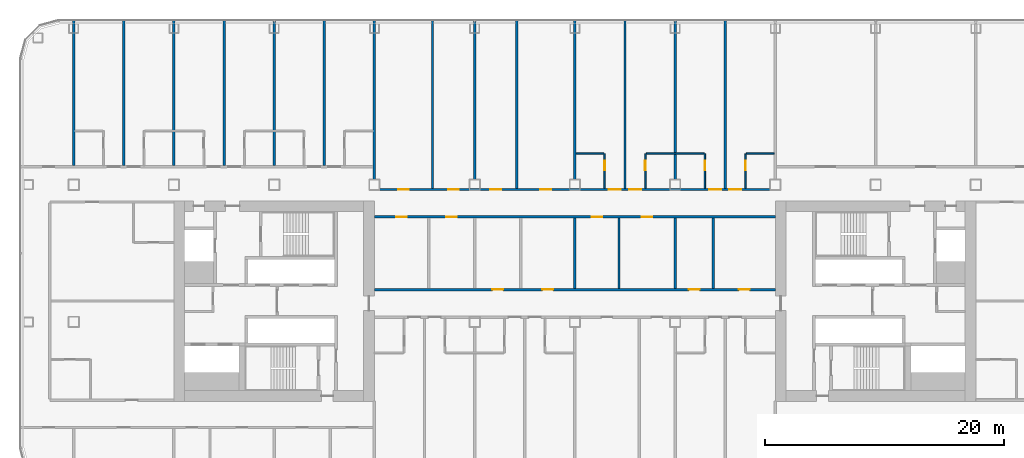
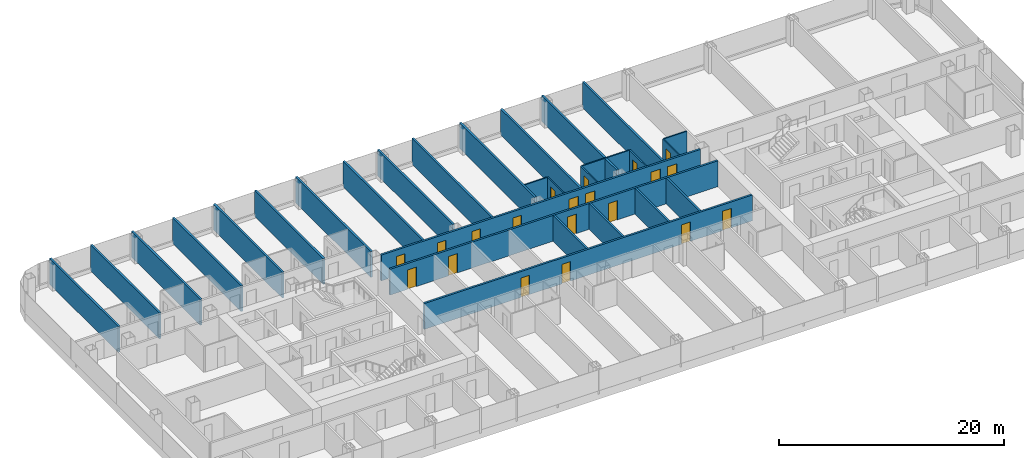
# One storey, part 18 of 29: 28 walls, 20 doors, 20 openings.
"""IFC4 building model written with IfcOpenShell, lengths in metres."""

from ifc_helpers import new_model, si_unit, direction, frame, frame_2d, origin, place, context, subcontext, project, spatial, rectangle, extrude, material, layer, layer_set, type_object, element, fill, save


model = new_model("IFC4")

# Units and contexts
model_context = context("Model", 3, precision=1e-05, world=origin(), true_north=direction((0.0, 1.0)))
body_context = subcontext(model_context, "Body", "Model", "MODEL_VIEW")
ifc_project = project(units=[si_unit("LENGTHUNIT", "METRE"), si_unit("AREAUNIT", "SQUARE_METRE"), si_unit("VOLUMEUNIT", "CUBIC_METRE"), si_unit("PLANEANGLEUNIT", "RADIAN"), si_unit("MASSUNIT", "GRAM", prefix="KILO")], contexts=[model_context])

# Site, building, storey
site_placement = place(None, origin())
site = spatial("IfcSite", under=ifc_project, at=site_placement, CompositionType="ELEMENT")
building_placement = place(site_placement, origin())
building = spatial("IfcBuilding", under=site, at=building_placement, Name="Hakoniwa Tower and Hamabe Station Hall", CompositionType="ELEMENT")
storey_placement = place(building_placement, frame((0.0, 0.0, 110.60009765625)))
storey = spatial("IfcBuildingStorey", under=building, at=storey_placement, Name="L31", CompositionType="ELEMENT", Elevation=110.60009765625)

# Walls
ifc_material_1 = material(Name="Gypsum board partition", Category="gypsum")
ifc_layer_1 = layer(ifc_material_1, 0.125)
ifc_layer_set_1 = layer_set([ifc_layer_1], Name="Bathroom Partition 125")
wall_type_1 = type_object("IfcWallType", Name="Bathroom Partition 125", PredefinedType="PARTITIONING", material=ifc_layer_set_1)
wall_1_placement = place(storey_placement, frame((0.10009765625, 12.35009765625, 0.0), z_axis=(0.0, 0.0, 1.0), x_axis=(1.0, 0.0, 0.0)))
element("IfcWall", 1, at=wall_1_placement, inside=storey, type_object=wall_type_1, Name="GW-L31-024", PredefinedType="PARTITIONING", context=body_context, shape_type="SweptSolid", body=[
    extrude(rectangle(XDim=2.33740234375, YDim=0.125, at=frame_2d((1.168701171875, 0.0))), origin(), (0.0, 0.0, 1.0), 2.7998046875),
])
wall_2_placement = place(storey_placement, frame((5.96240234375, 12.35009765625, 0.0), z_axis=(0.0, 0.0, 1.0), x_axis=(1.0, 0.0, 0.0)))
element("IfcWall", 2, at=wall_2_placement, inside=storey, type_object=wall_type_1, Name="GW-L31-025", PredefinedType="PARTITIONING", context=body_context, shape_type="SweptSolid", body=[
    extrude(rectangle(XDim=4.875, YDim=0.125, at=frame_2d((2.4375, 0.0))), origin(), (0.0, 0.0, 1.0), 2.7998046875),
])
wall_3_placement = place(storey_placement, frame((14.362548828125, 12.35009765625, 0.0), z_axis=(0.0, 0.0, 1.0), x_axis=(1.0, 0.0, 0.0)))
element("IfcWall", 3, at=wall_3_placement, inside=storey, type_object=wall_type_1, Name="GW-L31-026", PredefinedType="PARTITIONING", context=body_context, shape_type="SweptSolid", body=[
    extrude(rectangle(XDim=2.33740234375, YDim=0.125, at=frame_2d((1.168701171875, 0.0))), origin(), (0.0, 0.0, 1.0), 2.7998046875),
])

# Wall, opening, door
wall_4_placement = place(storey_placement, frame((2.5, 9.449951171875, 0.0), z_axis=(0.0, 0.0, 1.0), x_axis=(0.0, 1.0, 0.0)))
wall_4 = element("IfcWall", 4, at=wall_4_placement, inside=storey, type_object=wall_type_1, Name="GW-L31-069", PredefinedType="PARTITIONING", context=body_context, shape_type="SweptSolid", body=[
    extrude(rectangle(XDim=2.900146484375, YDim=0.125, at=frame_2d((1.4501953125, 0.0))), origin(), (0.0, 0.0, 1.0), 2.7998046875),
])
opening_1_placement = place(wall_4_placement, frame((1.5, 0.0, 0.0)))
opening_1 = element("IfcOpeningElement", 5, at=opening_1_placement, cuts=wall_4, Name="Opening GD-G2B2-67", PredefinedType="OPENING", context=body_context, shape_type="SweptSolid", body=[
    extrude(rectangle(XDim=0.800048828125, YDim=2.10009765625, at=frame_2d((0.39990234375, 1.050048828125))), frame((0.0, 0.072509765625, 0.0), z_axis=(0.0, -1.0, 0.0), x_axis=(1.0, 0.0, 0.0)), (0.0, 0.0, 1.0), 0.14501953125),
])
ifc_material_2 = material(Name="Timber door leaf", Category="wood")
door_type_1 = type_object("IfcDoorType", Name="Bathroom Door 800", OperationType="SINGLE_SWING_LEFT", PredefinedType="DOOR", material=ifc_material_2)
door_1_placement = place(opening_1_placement, origin())
door_1 = element("IfcDoor", 6, at=door_1_placement, inside=storey, type_object=door_type_1, Name="Door GD-G2B2-67", OperationType="SINGLE_SWING_LEFT", OverallHeight=2.10009765625, OverallWidth=0.800048828125, PredefinedType="DOOR", context=body_context, shape_type="SweptSolid", body=[
    extrude(rectangle(XDim=0.800048828125, YDim=2.10009765625, at=frame_2d((0.39990234375, 1.050048828125))), frame((0.0, 0.02490234375, 0.0), z_axis=(0.0, -1.0, 0.0), x_axis=(1.0, 0.0, 0.0)), (0.0, 0.0, 1.0), 0.050048828125),
])
fill(opening_1, door_1)

wall_5_placement = place(storey_placement, frame((5.89990234375, 9.449951171875, 0.0), z_axis=(0.0, 0.0, 1.0), x_axis=(0.0, 1.0, 0.0)))
wall_5 = element("IfcWall", 7, at=wall_5_placement, inside=storey, type_object=wall_type_1, Name="GW-L31-073", PredefinedType="PARTITIONING", context=body_context, shape_type="SweptSolid", body=[
    extrude(rectangle(XDim=2.900146484375, YDim=0.125, at=frame_2d((1.4501953125, 0.0))), origin(), (0.0, 0.0, 1.0), 2.7998046875),
])
opening_2_placement = place(wall_5_placement, frame((1.5, 0.0, 0.0)))
opening_2 = element("IfcOpeningElement", 8, at=opening_2_placement, cuts=wall_5, Name="Opening GD-G2B2-68", PredefinedType="OPENING", context=body_context, shape_type="SweptSolid", body=[
    extrude(rectangle(XDim=0.800048828125, YDim=2.10009765625, at=frame_2d((0.39990234375, 1.050048828125))), frame((0.0, 0.072509765625, 0.0), z_axis=(0.0, -1.0, 0.0), x_axis=(1.0, 0.0, 0.0)), (0.0, 0.0, 1.0), 0.14501953125),
])
door_2_placement = place(opening_2_placement, origin())
door_2 = element("IfcDoor", 9, at=door_2_placement, inside=storey, type_object=door_type_1, Name="Door GD-G2B2-68", OperationType="SINGLE_SWING_RIGHT", OverallHeight=2.10009765625, OverallWidth=0.800048828125, PredefinedType="DOOR", context=body_context, shape_type="SweptSolid", body=[
    extrude(rectangle(XDim=0.800048828125, YDim=2.10009765625, at=frame_2d((0.39990234375, 1.050048828125))), frame((0.0, 0.02490234375, 0.0), z_axis=(0.0, -1.0, 0.0), x_axis=(1.0, 0.0, 0.0)), (0.0, 0.0, 1.0), 0.050048828125),
])
fill(opening_2, door_2)

wall_6_placement = place(storey_placement, frame((10.89990234375, 9.449951171875, 0.0), z_axis=(0.0, 0.0, 1.0), x_axis=(0.0, 1.0, 0.0)))
wall_6 = element("IfcWall", 10, at=wall_6_placement, inside=storey, type_object=wall_type_1, Name="GW-L31-078", PredefinedType="PARTITIONING", context=body_context, shape_type="SweptSolid", body=[
    extrude(rectangle(XDim=2.900146484375, YDim=0.125, at=frame_2d((1.4501953125, 0.0))), origin(), (0.0, 0.0, 1.0), 2.7998046875),
])
opening_3_placement = place(wall_6_placement, frame((1.5, 0.0, 0.0)))
opening_3 = element("IfcOpeningElement", 11, at=opening_3_placement, cuts=wall_6, Name="Opening GD-G2B2-70", PredefinedType="OPENING", context=body_context, shape_type="SweptSolid", body=[
    extrude(rectangle(XDim=0.800048828125, YDim=2.10009765625, at=frame_2d((0.39990234375, 1.050048828125))), frame((0.0, 0.072509765625, 0.0), z_axis=(0.0, -1.0, 0.0), x_axis=(1.0, 0.0, 0.0)), (0.0, 0.0, 1.0), 0.14501953125),
])
door_3_placement = place(opening_3_placement, origin())
door_3 = element("IfcDoor", 12, at=door_3_placement, inside=storey, type_object=door_type_1, Name="Door GD-G2B2-70", OperationType="SINGLE_SWING_LEFT", OverallHeight=2.10009765625, OverallWidth=0.800048828125, PredefinedType="DOOR", context=body_context, shape_type="SweptSolid", body=[
    extrude(rectangle(XDim=0.800048828125, YDim=2.10009765625, at=frame_2d((0.39990234375, 1.050048828125))), frame((0.0, 0.02490234375, 0.0), z_axis=(0.0, -1.0, 0.0), x_axis=(1.0, 0.0, 0.0)), (0.0, 0.0, 1.0), 0.050048828125),
])
fill(opening_3, door_3)

wall_7_placement = place(storey_placement, frame((14.300048828125, 9.449951171875, 0.0), z_axis=(0.0, 0.0, 1.0), x_axis=(0.0, 1.0, 0.0)))
wall_7 = element("IfcWall", 13, at=wall_7_placement, inside=storey, type_object=wall_type_1, Name="GW-L31-083", PredefinedType="PARTITIONING", context=body_context, shape_type="SweptSolid", body=[
    extrude(rectangle(XDim=2.900146484375, YDim=0.125, at=frame_2d((1.4501953125, 0.0))), origin(), (0.0, 0.0, 1.0), 2.7998046875),
])
opening_4_placement = place(wall_7_placement, frame((1.5, 0.0, 0.0)))
opening_4 = element("IfcOpeningElement", 14, at=opening_4_placement, cuts=wall_7, Name="Opening GD-G2B2-72", PredefinedType="OPENING", context=body_context, shape_type="SweptSolid", body=[
    extrude(rectangle(XDim=0.800048828125, YDim=2.10009765625, at=frame_2d((0.39990234375, 1.050048828125))), frame((0.0, 0.072509765625, 0.0), z_axis=(0.0, -1.0, 0.0), x_axis=(1.0, 0.0, 0.0)), (0.0, 0.0, 1.0), 0.14501953125),
])
door_4_placement = place(opening_4_placement, origin())
door_4 = element("IfcDoor", 15, at=door_4_placement, inside=storey, type_object=door_type_1, Name="Door GD-G2B2-72", OperationType="SINGLE_SWING_RIGHT", OverallHeight=2.10009765625, OverallWidth=0.800048828125, PredefinedType="DOOR", context=body_context, shape_type="SweptSolid", body=[
    extrude(rectangle(XDim=0.800048828125, YDim=2.10009765625, at=frame_2d((0.39990234375, 1.050048828125))), frame((0.0, 0.02490234375, 0.0), z_axis=(0.0, -1.0, 0.0), x_axis=(1.0, 0.0, 0.0)), (0.0, 0.0, 1.0), 0.050048828125),
])
fill(opening_4, door_4)

# Wall, openings, doors
ifc_material_3 = material(Name="Fire-rated gypsum board partition", Category="gypsum")
ifc_layer_2 = layer(ifc_material_3, 0.199951171875)
ifc_layer_set_2 = layer_set([ifc_layer_2], Name="Corridor Wall 200")
wall_type_2 = type_object("IfcWallType", Name="Corridor Wall 200", PredefinedType="PARTITIONING", material=ifc_layer_set_2)
wall_8_placement = place(storey_placement, frame((-16.800048828125, 0.949951171875, 0.0), z_axis=(0.0, 0.0, 1.0), x_axis=(1.0, 0.0, 0.0)))
wall_8 = element("IfcWall", 16, at=wall_8_placement, inside=storey, type_object=wall_type_2, Name="GW-L31-015", PredefinedType="PARTITIONING", context=body_context, shape_type="SweptSolid", body=[
    extrude(rectangle(XDim=33.60009765625, YDim=0.199951171875, at=frame_2d((16.800048828125, 0.0))), origin(), (0.0, 0.0, 1.0), 2.7998046875),
])
opening_5_placement = place(wall_8_placement, frame((9.8798828125, 0.0, 0.0)))
opening_5 = element("IfcOpeningElement", 17, at=opening_5_placement, cuts=wall_8, Name="Opening GD-G2B2-26", PredefinedType="OPENING", context=body_context, shape_type="SweptSolid", body=[
    extrude(rectangle(XDim=0.89990234375, YDim=2.10009765625, at=frame_2d((0.449951171875, 1.050048828125))), frame((0.0, 0.10986328125, 0.0), z_axis=(0.0, -1.0, 0.0), x_axis=(1.0, 0.0, 0.0)), (0.0, 0.0, 1.0), 0.219970703125),
])
opening_6_placement = place(wall_8_placement, frame((14.080078125, 0.0, 0.0)))
opening_6 = element("IfcOpeningElement", 18, at=opening_6_placement, cuts=wall_8, Name="Opening GD-G2B2-27", PredefinedType="OPENING", context=body_context, shape_type="SweptSolid", body=[
    extrude(rectangle(XDim=0.89990234375, YDim=2.10009765625, at=frame_2d((0.449951171875, 1.050048828125))), frame((0.0, 0.10986328125, 0.0), z_axis=(0.0, -1.0, 0.0), x_axis=(1.0, 0.0, 0.0)), (0.0, 0.0, 1.0), 0.219970703125),
])
opening_7_placement = place(wall_8_placement, frame((26.344970703125, 0.0, 0.0)))
opening_7 = element("IfcOpeningElement", 19, at=opening_7_placement, cuts=wall_8, Name="Opening GD-G2B2-28", PredefinedType="OPENING", context=body_context, shape_type="SweptSolid", body=[
    extrude(rectangle(XDim=0.89990234375, YDim=2.10009765625, at=frame_2d((0.449951171875, 1.050048828125))), frame((0.0, 0.10986328125, 0.0), z_axis=(0.0, -1.0, 0.0), x_axis=(1.0, 0.0, 0.0)), (0.0, 0.0, 1.0), 0.219970703125),
])
opening_8_placement = place(wall_8_placement, frame((30.544921875, 0.0, 0.0)))
opening_8 = element("IfcOpeningElement", 20, at=opening_8_placement, cuts=wall_8, Name="Opening GD-G2B2-29", PredefinedType="OPENING", context=body_context, shape_type="SweptSolid", body=[
    extrude(rectangle(XDim=0.89990234375, YDim=2.10009765625, at=frame_2d((0.449951171875, 1.050048828125))), frame((0.0, 0.10986328125, 0.0), z_axis=(0.0, -1.0, 0.0), x_axis=(1.0, 0.0, 0.0)), (0.0, 0.0, 1.0), 0.219970703125),
])
ifc_material_4 = material(Name="Timber door leaf", Category="wood")
door_type_2 = type_object("IfcDoorType", Name="Service Door 900", OperationType="SINGLE_SWING_LEFT", PredefinedType="DOOR", material=ifc_material_4)
door_5_placement = place(opening_5_placement, origin())
door_5 = element("IfcDoor", 21, at=door_5_placement, inside=storey, type_object=door_type_2, Name="Door GD-G2B2-26", OperationType="SINGLE_SWING_RIGHT", OverallHeight=2.10009765625, OverallWidth=0.89990234375, PredefinedType="DOOR", context=body_context, shape_type="SweptSolid", body=[
    extrude(rectangle(XDim=0.89990234375, YDim=2.10009765625, at=frame_2d((0.449951171875, 1.050048828125))), frame((0.0, 0.02490234375, 0.0), z_axis=(0.0, -1.0, 0.0), x_axis=(1.0, 0.0, 0.0)), (0.0, 0.0, 1.0), 0.050048828125),
])
fill(opening_5, door_5)
door_6_placement = place(opening_6_placement, origin())
door_6 = element("IfcDoor", 22, at=door_6_placement, inside=storey, type_object=door_type_2, Name="Door GD-G2B2-27", OperationType="SINGLE_SWING_LEFT", OverallHeight=2.10009765625, OverallWidth=0.89990234375, PredefinedType="DOOR", context=body_context, shape_type="SweptSolid", body=[
    extrude(rectangle(XDim=0.89990234375, YDim=2.10009765625, at=frame_2d((0.449951171875, 1.050048828125))), frame((0.0, 0.02490234375, 0.0), z_axis=(0.0, -1.0, 0.0), x_axis=(1.0, 0.0, 0.0)), (0.0, 0.0, 1.0), 0.050048828125),
])
fill(opening_6, door_6)
door_7_placement = place(opening_7_placement, origin())
door_7 = element("IfcDoor", 23, at=door_7_placement, inside=storey, type_object=door_type_2, Name="Door GD-G2B2-28", OperationType="SINGLE_SWING_RIGHT", OverallHeight=2.10009765625, OverallWidth=0.89990234375, PredefinedType="DOOR", context=body_context, shape_type="SweptSolid", body=[
    extrude(rectangle(XDim=0.89990234375, YDim=2.10009765625, at=frame_2d((0.449951171875, 1.050048828125))), frame((0.0, 0.02490234375, 0.0), z_axis=(0.0, -1.0, 0.0), x_axis=(1.0, 0.0, 0.0)), (0.0, 0.0, 1.0), 0.050048828125),
])
fill(opening_7, door_7)
door_8_placement = place(opening_8_placement, origin())
door_8 = element("IfcDoor", 24, at=door_8_placement, inside=storey, type_object=door_type_2, Name="Door GD-G2B2-29", OperationType="SINGLE_SWING_LEFT", OverallHeight=2.10009765625, OverallWidth=0.89990234375, PredefinedType="DOOR", context=body_context, shape_type="SweptSolid", body=[
    extrude(rectangle(XDim=0.89990234375, YDim=2.10009765625, at=frame_2d((0.449951171875, 1.050048828125))), frame((0.0, 0.02490234375, 0.0), z_axis=(0.0, -1.0, 0.0), x_axis=(1.0, 0.0, 0.0)), (0.0, 0.0, 1.0), 0.050048828125),
])
fill(opening_8, door_8)

wall_9_placement = place(storey_placement, frame((-16.800048828125, 7.050048828125, 0.0), z_axis=(0.0, 0.0, 1.0), x_axis=(1.0, 0.0, 0.0)))
wall_9 = element("IfcWall", 25, at=wall_9_placement, inside=storey, type_object=wall_type_2, Name="GW-L31-018", PredefinedType="PARTITIONING", context=body_context, shape_type="SweptSolid", body=[
    extrude(rectangle(XDim=33.60009765625, YDim=0.199951171875, at=frame_2d((16.800048828125, 0.0))), origin(), (0.0, 0.0, 1.0), 2.7998046875),
])
opening_9_placement = place(wall_9_placement, frame((1.820068359375, 0.0, 0.0)))
opening_9 = element("IfcOpeningElement", 26, at=opening_9_placement, cuts=wall_9, Name="Opening GD-G2B2-32", PredefinedType="OPENING", context=body_context, shape_type="SweptSolid", body=[
    extrude(rectangle(XDim=0.89990234375, YDim=2.10009765625, at=frame_2d((0.449951171875, 1.050048828125))), frame((0.0, 0.10986328125, 0.0), z_axis=(0.0, -1.0, 0.0), x_axis=(1.0, 0.0, 0.0)), (0.0, 0.0, 1.0), 0.219970703125),
])
opening_10_placement = place(wall_9_placement, frame((6.02001953125, 0.0, 0.0)))
opening_10 = element("IfcOpeningElement", 27, at=opening_10_placement, cuts=wall_9, Name="Opening GD-G2B2-33", PredefinedType="OPENING", context=body_context, shape_type="SweptSolid", body=[
    extrude(rectangle(XDim=0.89990234375, YDim=2.10009765625, at=frame_2d((0.449951171875, 1.050048828125))), frame((0.0, 0.10986328125, 0.0), z_axis=(0.0, -1.0, 0.0), x_axis=(1.0, 0.0, 0.0)), (0.0, 0.0, 1.0), 0.219970703125),
])
opening_11_placement = place(wall_9_placement, frame((18.199951171875, 0.0, 0.0)))
opening_11 = element("IfcOpeningElement", 28, at=opening_11_placement, cuts=wall_9, Name="Opening GD-G2B2-34", PredefinedType="OPENING", context=body_context, shape_type="SweptSolid", body=[
    extrude(rectangle(XDim=0.89990234375, YDim=2.10009765625, at=frame_2d((0.449951171875, 1.050048828125))), frame((0.0, 0.10986328125, 0.0), z_axis=(0.0, -1.0, 0.0), x_axis=(1.0, 0.0, 0.0)), (0.0, 0.0, 1.0), 0.219970703125),
])
opening_12_placement = place(wall_9_placement, frame((22.39990234375, 0.0, 0.0)))
opening_12 = element("IfcOpeningElement", 29, at=opening_12_placement, cuts=wall_9, Name="Opening GD-G2B2-35", PredefinedType="OPENING", context=body_context, shape_type="SweptSolid", body=[
    extrude(rectangle(XDim=0.89990234375, YDim=2.10009765625, at=frame_2d((0.449951171875, 1.050048828125))), frame((0.0, 0.10986328125, 0.0), z_axis=(0.0, -1.0, 0.0), x_axis=(1.0, 0.0, 0.0)), (0.0, 0.0, 1.0), 0.219970703125),
])
door_9_placement = place(opening_9_placement, origin())
door_9 = element("IfcDoor", 30, at=door_9_placement, inside=storey, type_object=door_type_2, Name="Door GD-G2B2-32", OperationType="SINGLE_SWING_RIGHT", OverallHeight=2.10009765625, OverallWidth=0.89990234375, PredefinedType="DOOR", context=body_context, shape_type="SweptSolid", body=[
    extrude(rectangle(XDim=0.89990234375, YDim=2.10009765625, at=frame_2d((0.449951171875, 1.050048828125))), frame((0.0, 0.02490234375, 0.0), z_axis=(0.0, -1.0, 0.0), x_axis=(1.0, 0.0, 0.0)), (0.0, 0.0, 1.0), 0.050048828125),
])
fill(opening_9, door_9)
door_10_placement = place(opening_10_placement, origin())
door_10 = element("IfcDoor", 31, at=door_10_placement, inside=storey, type_object=door_type_2, Name="Door GD-G2B2-33", OperationType="SINGLE_SWING_LEFT", OverallHeight=2.10009765625, OverallWidth=0.89990234375, PredefinedType="DOOR", context=body_context, shape_type="SweptSolid", body=[
    extrude(rectangle(XDim=0.89990234375, YDim=2.10009765625, at=frame_2d((0.449951171875, 1.050048828125))), frame((0.0, 0.02490234375, 0.0), z_axis=(0.0, -1.0, 0.0), x_axis=(1.0, 0.0, 0.0)), (0.0, 0.0, 1.0), 0.050048828125),
])
fill(opening_10, door_10)
door_11_placement = place(opening_11_placement, origin())
door_11 = element("IfcDoor", 32, at=door_11_placement, inside=storey, type_object=door_type_2, Name="Door GD-G2B2-34", OperationType="SINGLE_SWING_RIGHT", OverallHeight=2.10009765625, OverallWidth=0.89990234375, PredefinedType="DOOR", context=body_context, shape_type="SweptSolid", body=[
    extrude(rectangle(XDim=0.89990234375, YDim=2.10009765625, at=frame_2d((0.449951171875, 1.050048828125))), frame((0.0, 0.02490234375, 0.0), z_axis=(0.0, -1.0, 0.0), x_axis=(1.0, 0.0, 0.0)), (0.0, 0.0, 1.0), 0.050048828125),
])
fill(opening_11, door_11)
door_12_placement = place(opening_12_placement, origin())
door_12 = element("IfcDoor", 33, at=door_12_placement, inside=storey, type_object=door_type_2, Name="Door GD-G2B2-35", OperationType="SINGLE_SWING_LEFT", OverallHeight=2.10009765625, OverallWidth=0.89990234375, PredefinedType="DOOR", context=body_context, shape_type="SweptSolid", body=[
    extrude(rectangle(XDim=0.89990234375, YDim=2.10009765625, at=frame_2d((0.449951171875, 1.050048828125))), frame((0.0, 0.02490234375, 0.0), z_axis=(0.0, -1.0, 0.0), x_axis=(1.0, 0.0, 0.0)), (0.0, 0.0, 1.0), 0.050048828125),
])
fill(opening_12, door_12)

wall_10_placement = place(storey_placement, frame((-16.360107421875, 9.35009765625, 0.0), z_axis=(0.0, 0.0, 1.0), x_axis=(1.0, 0.0, 0.0)))
wall_10 = element("IfcWall", 34, at=wall_10_placement, inside=storey, type_object=wall_type_2, Name="GW-L31-021", PredefinedType="PARTITIONING", context=body_context, shape_type="SweptSolid", body=[
    extrude(rectangle(XDim=32.72021484375, YDim=0.199951171875, at=frame_2d((16.360107421875, 0.0))), origin(), (0.0, 0.0, 1.0), 2.7998046875),
])
opening_13_placement = place(wall_10_placement, frame((1.544921875, 0.0, 0.0)))
opening_13 = element("IfcOpeningElement", 35, at=opening_13_placement, cuts=wall_10, Name="Opening GD-G2B2-38", PredefinedType="OPENING", context=body_context, shape_type="SweptSolid", body=[
    extrude(rectangle(XDim=0.89990234375, YDim=2.10009765625, at=frame_2d((0.449951171875, 1.050048828125))), frame((0.0, 0.10986328125, 0.0), z_axis=(0.0, -1.0, 0.0), x_axis=(1.0, 0.0, 0.0)), (0.0, 0.0, 1.0), 0.219970703125),
])
opening_14_placement = place(wall_10_placement, frame((5.7451171875, 0.0, 0.0)))
opening_14 = element("IfcOpeningElement", 36, at=opening_14_placement, cuts=wall_10, Name="Opening GD-G2B2-39", PredefinedType="OPENING", context=body_context, shape_type="SweptSolid", body=[
    extrude(rectangle(XDim=0.89990234375, YDim=2.10009765625, at=frame_2d((0.449951171875, 1.050048828125))), frame((0.0, 0.10986328125, 0.0), z_axis=(0.0, -1.0, 0.0), x_axis=(1.0, 0.0, 0.0)), (0.0, 0.0, 1.0), 0.219970703125),
])
opening_15_placement = place(wall_10_placement, frame((9.27490234375, 0.0, 0.0)))
opening_15 = element("IfcOpeningElement", 37, at=opening_15_placement, cuts=wall_10, Name="Opening GD-G2B2-40", PredefinedType="OPENING", context=body_context, shape_type="SweptSolid", body=[
    extrude(rectangle(XDim=0.89990234375, YDim=2.10009765625, at=frame_2d((0.449951171875, 1.050048828125))), frame((0.0, 0.10986328125, 0.0), z_axis=(0.0, -1.0, 0.0), x_axis=(1.0, 0.0, 0.0)), (0.0, 0.0, 1.0), 0.219970703125),
])
opening_16_placement = place(wall_10_placement, frame((13.47509765625, 0.0, 0.0)))
opening_16 = element("IfcOpeningElement", 38, at=opening_16_placement, cuts=wall_10, Name="Opening GD-G2B2-41", PredefinedType="OPENING", context=body_context, shape_type="SweptSolid", body=[
    extrude(rectangle(XDim=0.89990234375, YDim=2.10009765625, at=frame_2d((0.449951171875, 1.050048828125))), frame((0.0, 0.10986328125, 0.0), z_axis=(0.0, -1.0, 0.0), x_axis=(1.0, 0.0, 0.0)), (0.0, 0.0, 1.0), 0.219970703125),
])
opening_17_placement = place(wall_10_placement, frame((19.2099609375, 0.0, 0.0)))
opening_17 = element("IfcOpeningElement", 39, at=opening_17_placement, cuts=wall_10, Name="Opening GD-G2B2-42", PredefinedType="OPENING", context=body_context, shape_type="SweptSolid", body=[
    extrude(rectangle(XDim=1.0, YDim=2.10009765625, at=frame_2d((0.5, 1.050048828125))), frame((0.0, 0.10986328125, 0.0), z_axis=(0.0, -1.0, 0.0), x_axis=(1.0, 0.0, 0.0)), (0.0, 0.0, 1.0), 0.219970703125),
])
opening_18_placement = place(wall_10_placement, frame((20.909912109375, 0.0, 0.0)))
opening_18 = element("IfcOpeningElement", 40, at=opening_18_placement, cuts=wall_10, Name="Opening GD-G2B2-43", PredefinedType="OPENING", context=body_context, shape_type="SweptSolid", body=[
    extrude(rectangle(XDim=1.0, YDim=2.10009765625, at=frame_2d((0.5, 1.050048828125))), frame((0.0, 0.10986328125, 0.0), z_axis=(0.0, -1.0, 0.0), x_axis=(1.0, 0.0, 0.0)), (0.0, 0.0, 1.0), 0.219970703125),
])
opening_19_placement = place(wall_10_placement, frame((27.610107421875, 0.0, 0.0)))
opening_19 = element("IfcOpeningElement", 41, at=opening_19_placement, cuts=wall_10, Name="Opening GD-G2B2-44", PredefinedType="OPENING", context=body_context, shape_type="SweptSolid", body=[
    extrude(rectangle(XDim=1.0, YDim=2.10009765625, at=frame_2d((0.5, 1.050048828125))), frame((0.0, 0.10986328125, 0.0), z_axis=(0.0, -1.0, 0.0), x_axis=(1.0, 0.0, 0.0)), (0.0, 0.0, 1.0), 0.219970703125),
])
opening_20_placement = place(wall_10_placement, frame((29.31005859375, 0.0, 0.0)))
opening_20 = element("IfcOpeningElement", 42, at=opening_20_placement, cuts=wall_10, Name="Opening GD-G2B2-45", PredefinedType="OPENING", context=body_context, shape_type="SweptSolid", body=[
    extrude(rectangle(XDim=1.0, YDim=2.10009765625, at=frame_2d((0.5, 1.050048828125))), frame((0.0, 0.10986328125, 0.0), z_axis=(0.0, -1.0, 0.0), x_axis=(1.0, 0.0, 0.0)), (0.0, 0.0, 1.0), 0.219970703125),
])
ifc_material_5 = material(Name="Timber door leaf", Category="wood")
door_type_3 = type_object("IfcDoorType", Name="Guest Entrance Door 1000", OperationType="SINGLE_SWING_LEFT", PredefinedType="DOOR", material=ifc_material_5)
door_13_placement = place(opening_17_placement, origin())
door_13 = element("IfcDoor", 43, at=door_13_placement, inside=storey, type_object=door_type_3, Name="Door GD-G2B2-42", OperationType="SINGLE_SWING_RIGHT", OverallHeight=2.10009765625, OverallWidth=1.0, PredefinedType="DOOR", context=body_context, shape_type="SweptSolid", body=[
    extrude(rectangle(XDim=1.0, YDim=2.10009765625, at=frame_2d((0.5, 1.050048828125))), frame((0.0, 0.02490234375, 0.0), z_axis=(0.0, -1.0, 0.0), x_axis=(1.0, 0.0, 0.0)), (0.0, 0.0, 1.0), 0.050048828125),
])
fill(opening_17, door_13)
door_14_placement = place(opening_18_placement, origin())
door_14 = element("IfcDoor", 44, at=door_14_placement, inside=storey, type_object=door_type_3, Name="Door GD-G2B2-43", OperationType="SINGLE_SWING_LEFT", OverallHeight=2.10009765625, OverallWidth=1.0, PredefinedType="DOOR", context=body_context, shape_type="SweptSolid", body=[
    extrude(rectangle(XDim=1.0, YDim=2.10009765625, at=frame_2d((0.5, 1.050048828125))), frame((0.0, 0.02490234375, 0.0), z_axis=(0.0, -1.0, 0.0), x_axis=(1.0, 0.0, 0.0)), (0.0, 0.0, 1.0), 0.050048828125),
])
fill(opening_18, door_14)
door_15_placement = place(opening_19_placement, origin())
door_15 = element("IfcDoor", 45, at=door_15_placement, inside=storey, type_object=door_type_3, Name="Door GD-G2B2-44", OperationType="SINGLE_SWING_RIGHT", OverallHeight=2.10009765625, OverallWidth=1.0, PredefinedType="DOOR", context=body_context, shape_type="SweptSolid", body=[
    extrude(rectangle(XDim=1.0, YDim=2.10009765625, at=frame_2d((0.5, 1.050048828125))), frame((0.0, 0.02490234375, 0.0), z_axis=(0.0, -1.0, 0.0), x_axis=(1.0, 0.0, 0.0)), (0.0, 0.0, 1.0), 0.050048828125),
])
fill(opening_19, door_15)
door_16_placement = place(opening_20_placement, origin())
door_16 = element("IfcDoor", 46, at=door_16_placement, inside=storey, type_object=door_type_3, Name="Door GD-G2B2-45", OperationType="SINGLE_SWING_LEFT", OverallHeight=2.10009765625, OverallWidth=1.0, PredefinedType="DOOR", context=body_context, shape_type="SweptSolid", body=[
    extrude(rectangle(XDim=1.0, YDim=2.10009765625, at=frame_2d((0.5, 1.050048828125))), frame((0.0, 0.02490234375, 0.0), z_axis=(0.0, -1.0, 0.0), x_axis=(1.0, 0.0, 0.0)), (0.0, 0.0, 1.0), 0.050048828125),
])
fill(opening_20, door_16)
door_17_placement = place(opening_13_placement, origin())
door_17 = element("IfcDoor", 47, at=door_17_placement, inside=storey, type_object=door_type_2, Name="Door GD-G2B2-38", OperationType="SINGLE_SWING_LEFT", OverallHeight=2.10009765625, OverallWidth=0.89990234375, PredefinedType="DOOR", context=body_context, shape_type="SweptSolid", body=[
    extrude(rectangle(XDim=0.89990234375, YDim=2.10009765625, at=frame_2d((0.449951171875, 1.050048828125))), frame((0.0, 0.02490234375, 0.0), z_axis=(0.0, -1.0, 0.0), x_axis=(1.0, 0.0, 0.0)), (0.0, 0.0, 1.0), 0.050048828125),
])
fill(opening_13, door_17)
door_18_placement = place(opening_14_placement, origin())
door_18 = element("IfcDoor", 48, at=door_18_placement, inside=storey, type_object=door_type_2, Name="Door GD-G2B2-39", OperationType="SINGLE_SWING_RIGHT", OverallHeight=2.10009765625, OverallWidth=0.89990234375, PredefinedType="DOOR", context=body_context, shape_type="SweptSolid", body=[
    extrude(rectangle(XDim=0.89990234375, YDim=2.10009765625, at=frame_2d((0.449951171875, 1.050048828125))), frame((0.0, 0.02490234375, 0.0), z_axis=(0.0, -1.0, 0.0), x_axis=(1.0, 0.0, 0.0)), (0.0, 0.0, 1.0), 0.050048828125),
])
fill(opening_14, door_18)
door_19_placement = place(opening_15_placement, origin())
door_19 = element("IfcDoor", 49, at=door_19_placement, inside=storey, type_object=door_type_2, Name="Door GD-G2B2-40", OperationType="SINGLE_SWING_LEFT", OverallHeight=2.10009765625, OverallWidth=0.89990234375, PredefinedType="DOOR", context=body_context, shape_type="SweptSolid", body=[
    extrude(rectangle(XDim=0.89990234375, YDim=2.10009765625, at=frame_2d((0.449951171875, 1.050048828125))), frame((0.0, 0.02490234375, 0.0), z_axis=(0.0, -1.0, 0.0), x_axis=(1.0, 0.0, 0.0)), (0.0, 0.0, 1.0), 0.050048828125),
])
fill(opening_15, door_19)
door_20_placement = place(opening_16_placement, origin())
door_20 = element("IfcDoor", 50, at=door_20_placement, inside=storey, type_object=door_type_2, Name="Door GD-G2B2-41", OperationType="SINGLE_SWING_LEFT", OverallHeight=2.10009765625, OverallWidth=0.89990234375, PredefinedType="DOOR", context=body_context, shape_type="SweptSolid", body=[
    extrude(rectangle(XDim=0.89990234375, YDim=2.10009765625, at=frame_2d((0.449951171875, 1.050048828125))), frame((0.0, 0.02490234375, 0.0), z_axis=(0.0, -1.0, 0.0), x_axis=(1.0, 0.0, 0.0)), (0.0, 0.0, 1.0), 0.050048828125),
])
fill(opening_16, door_20)

# Walls
ifc_material_6 = material(Name="Fire-rated gypsum board partition", Category="gypsum")
ifc_layer_3 = layer(ifc_material_6, 0.199951171875)
ifc_layer_set_3 = layer_set([ifc_layer_3], Name="Party Wall 200")
wall_type_3 = type_object("IfcWallType", Name="Party Wall 200", PredefinedType="PARTITIONING", material=ifc_layer_set_3)
for number, where, z_axis, x_axis, name in (
    (51, (-42.0, 11.35009765625, 0.0), (0.0, 0.0, 1.0), (0.0, 1.0, 0.0), "GW-L31-033"),
    (52, (-37.800048828125, 11.35009765625, 0.0), (0.0, 0.0, 1.0), (0.0, 1.0, 0.0), "GW-L31-036"),
    (53, (-33.60009765625, 11.35009765625, 0.0), (0.0, 0.0, 1.0), (0.0, 1.0, 0.0), "GW-L31-040"),
    (54, (-29.39990234375, 11.35009765625, 0.0), (0.0, 0.0, 1.0), (0.0, 1.0, 0.0), "GW-L31-043"),
    (55, (-25.199951171875, 11.35009765625, 0.0), (0.0, 0.0, 1.0), (0.0, 1.0, 0.0), "GW-L31-046"),
    (56, (-21.0, 11.35009765625, 0.0), (0.0, 0.0, 1.0), (0.0, 1.0, 0.0), "GW-L31-048"),
):
    element("IfcWall", number, at=place(storey_placement, frame(where, z_axis=z_axis, x_axis=x_axis)), inside=storey, type_object=wall_type_3, Name=name, PredefinedType="PARTITIONING", context=body_context, shape_type="SweptSolid", body=[
        extrude(rectangle(XDim=12.199951171875, YDim=0.199951171875, at=frame_2d((6.10009765625, 0.0))), origin(), (0.0, 0.0, 1.0), 2.7998046875),
    ])
wall_11_placement = place(storey_placement, frame((-16.800048828125, 10.18994140625, 0.0), z_axis=(0.0, 0.0, 1.0), x_axis=(0.0, 1.0, 0.0)))
element("IfcWall", 57, at=wall_11_placement, inside=storey, type_object=wall_type_3, Name="GW-L31-052", PredefinedType="PARTITIONING", context=body_context, shape_type="SweptSolid", body=[
    extrude(rectangle(XDim=13.360107421875, YDim=0.199951171875, at=frame_2d((6.68017578125, 0.0))), origin(), (0.0, 0.0, 1.0), 2.7998046875),
])
wall_12_placement = place(storey_placement, frame((-11.929931640625, 9.449951171875, 0.0), z_axis=(0.0, 0.0, 1.0), x_axis=(0.0, 1.0, 0.0)))
element("IfcWall", 58, at=wall_12_placement, inside=storey, type_object=wall_type_3, Name="GW-L31-056", PredefinedType="PARTITIONING", context=body_context, shape_type="SweptSolid", body=[
    extrude(rectangle(XDim=14.10009765625, YDim=0.199951171875, at=frame_2d((7.050048828125, 0.0))), origin(), (0.0, 0.0, 1.0), 2.7998046875),
])
wall_13_placement = place(storey_placement, frame((-8.39990234375, 10.18994140625, 0.0), z_axis=(0.0, 0.0, 1.0), x_axis=(0.0, 1.0, 0.0)))
element("IfcWall", 59, at=wall_13_placement, inside=storey, type_object=wall_type_3, Name="GW-L31-060", PredefinedType="PARTITIONING", context=body_context, shape_type="SweptSolid", body=[
    extrude(rectangle(XDim=13.360107421875, YDim=0.199951171875, at=frame_2d((6.68017578125, 0.0))), origin(), (0.0, 0.0, 1.0), 2.7998046875),
])
wall_14_placement = place(storey_placement, frame((-4.8701171875, 9.449951171875, 0.0), z_axis=(0.0, 0.0, 1.0), x_axis=(0.0, 1.0, 0.0)))
element("IfcWall", 60, at=wall_14_placement, inside=storey, type_object=wall_type_3, Name="GW-L31-062", PredefinedType="PARTITIONING", context=body_context, shape_type="SweptSolid", body=[
    extrude(rectangle(XDim=14.10009765625, YDim=0.199951171875, at=frame_2d((7.050048828125, 0.0))), origin(), (0.0, 0.0, 1.0), 2.7998046875),
])
wall_15_placement = place(storey_placement, frame((0.0, 1.050048828125, 0.0), z_axis=(0.0, 0.0, 1.0), x_axis=(0.0, 1.0, 0.0)))
element("IfcWall", 61, at=wall_15_placement, inside=storey, type_object=wall_type_3, Name="GW-L31-067", PredefinedType="PARTITIONING", context=body_context, shape_type="SweptSolid", body=[
    extrude(rectangle(XDim=5.89990234375, YDim=0.199951171875, at=frame_2d((2.949951171875, 0.0))), origin(), (0.0, 0.0, 1.0), 2.7998046875),
])
wall_16_placement = place(storey_placement, frame((0.0, 10.18994140625, 0.0), z_axis=(0.0, 0.0, 1.0), x_axis=(0.0, 1.0, 0.0)))
element("IfcWall", 62, at=wall_16_placement, inside=storey, type_object=wall_type_3, Name="GW-L31-068", PredefinedType="PARTITIONING", context=body_context, shape_type="SweptSolid", body=[
    extrude(rectangle(XDim=13.360107421875, YDim=0.199951171875, at=frame_2d((6.68017578125, 0.0))), origin(), (0.0, 0.0, 1.0), 2.7998046875),
])
wall_17_placement = place(storey_placement, frame((3.699951171875, 1.050048828125, 0.0), z_axis=(0.0, 0.0, 1.0), x_axis=(0.0, 1.0, 0.0)))
element("IfcWall", 63, at=wall_17_placement, inside=storey, type_object=wall_type_3, Name="GW-L31-070", PredefinedType="PARTITIONING", context=body_context, shape_type="SweptSolid", body=[
    extrude(rectangle(XDim=5.89990234375, YDim=0.199951171875, at=frame_2d((2.949951171875, 0.0))), origin(), (0.0, 0.0, 1.0), 2.7998046875),
])
wall_18_placement = place(storey_placement, frame((4.199951171875, 9.449951171875, 0.0), z_axis=(0.0, 0.0, 1.0), x_axis=(0.0, 1.0, 0.0)))
element("IfcWall", 64, at=wall_18_placement, inside=storey, type_object=wall_type_3, Name="GW-L31-071", PredefinedType="PARTITIONING", context=body_context, shape_type="SweptSolid", body=[
    extrude(rectangle(XDim=14.10009765625, YDim=0.199951171875, at=frame_2d((7.050048828125, 0.0))), origin(), (0.0, 0.0, 1.0), 2.7998046875),
])
wall_19_placement = place(storey_placement, frame((8.39990234375, 1.050048828125, 0.0), z_axis=(0.0, 0.0, 1.0), x_axis=(0.0, 1.0, 0.0)))
element("IfcWall", 65, at=wall_19_placement, inside=storey, type_object=wall_type_3, Name="GW-L31-075", PredefinedType="PARTITIONING", context=body_context, shape_type="SweptSolid", body=[
    extrude(rectangle(XDim=5.89990234375, YDim=0.199951171875, at=frame_2d((2.949951171875, 0.0))), origin(), (0.0, 0.0, 1.0), 2.7998046875),
])
wall_20_placement = place(storey_placement, frame((8.39990234375, 10.18994140625, 0.0), z_axis=(0.0, 0.0, 1.0), x_axis=(0.0, 1.0, 0.0)))
element("IfcWall", 66, at=wall_20_placement, inside=storey, type_object=wall_type_3, Name="GW-L31-076", PredefinedType="PARTITIONING", context=body_context, shape_type="SweptSolid", body=[
    extrude(rectangle(XDim=13.360107421875, YDim=0.199951171875, at=frame_2d((6.68017578125, 0.0))), origin(), (0.0, 0.0, 1.0), 2.7998046875),
])
wall_21_placement = place(storey_placement, frame((11.590087890625, 1.050048828125, 0.0), z_axis=(0.0, 0.0, 1.0), x_axis=(0.0, 1.0, 0.0)))
element("IfcWall", 67, at=wall_21_placement, inside=storey, type_object=wall_type_3, Name="GW-L31-079", PredefinedType="PARTITIONING", context=body_context, shape_type="SweptSolid", body=[
    extrude(rectangle(XDim=5.89990234375, YDim=0.199951171875, at=frame_2d((2.949951171875, 0.0))), origin(), (0.0, 0.0, 1.0), 2.7998046875),
])
wall_22_placement = place(storey_placement, frame((12.60009765625, 9.449951171875, 0.0), z_axis=(0.0, 0.0, 1.0), x_axis=(0.0, 1.0, 0.0)))
element("IfcWall", 68, at=wall_22_placement, inside=storey, type_object=wall_type_3, Name="GW-L31-081", PredefinedType="PARTITIONING", context=body_context, shape_type="SweptSolid", body=[
    extrude(rectangle(XDim=14.10009765625, YDim=0.199951171875, at=frame_2d((7.050048828125, 0.0))), origin(), (0.0, 0.0, 1.0), 2.7998046875),
])

save(model, "model.ifc")
